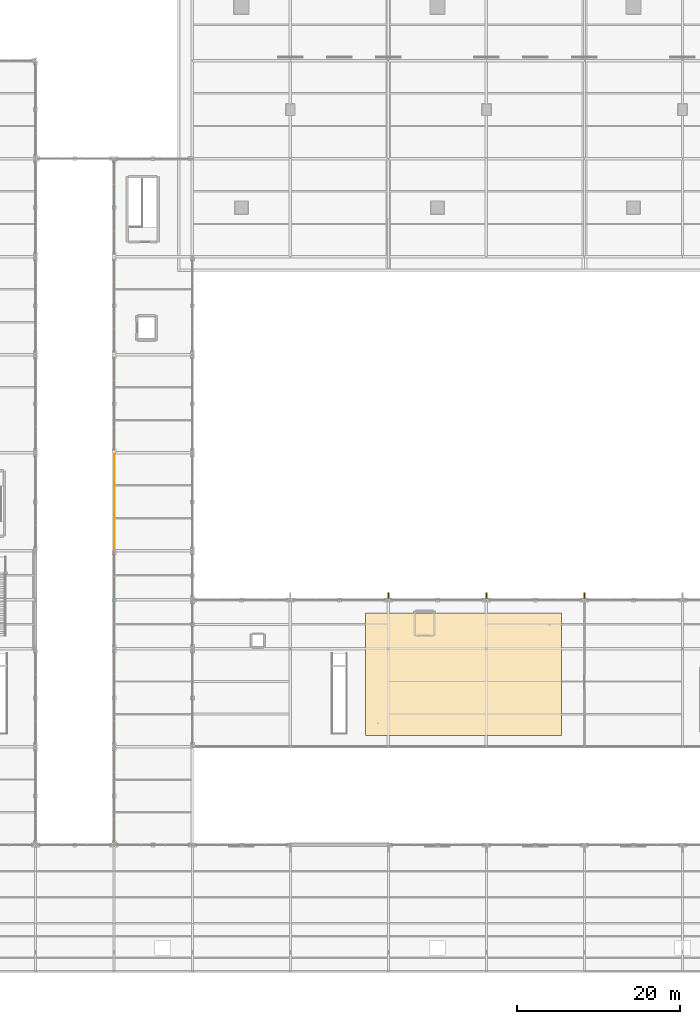
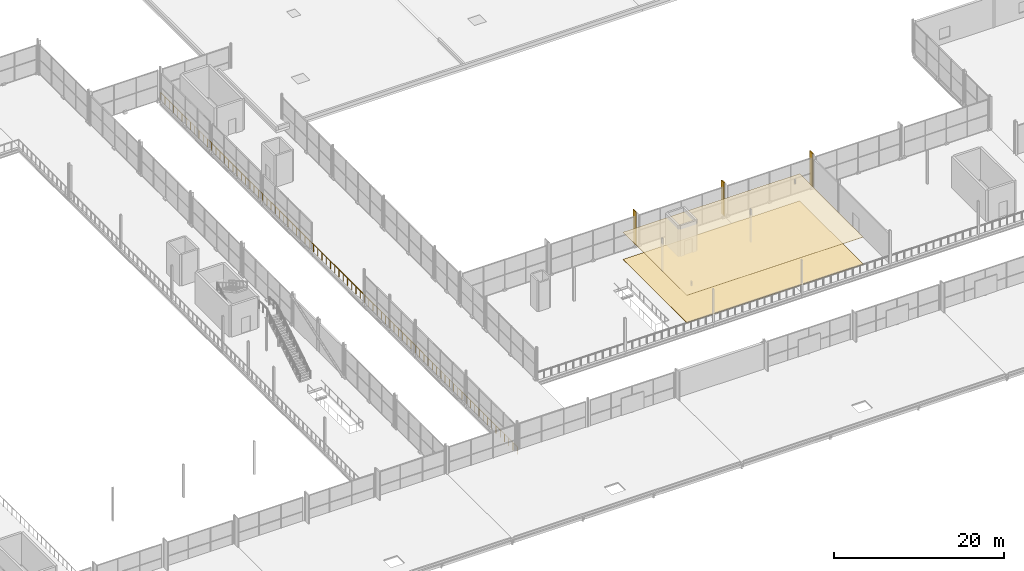
# One storey, part 155 of 159: 5 coverings, 1 railing.
"""IFC4 building model written with IfcOpenShell, lengths in metres."""

from ifc_helpers import new_model, si_unit, direction, frame, origin, origin_2d, place, context, subcontext, project, spatial, polyline, circle, outline, extrude, material, layer, layer_set, type_object, element, save


model = new_model("IFC4")

# Units and contexts
model_context = context("Model", 3, precision=1e-05, world=origin(), true_north=direction((0.0, 1.0)))
body_context = subcontext(model_context, "Body", "Model", "MODEL_VIEW")
ifc_project = project(units=[si_unit("LENGTHUNIT", "METRE"), si_unit("AREAUNIT", "SQUARE_METRE"), si_unit("VOLUMEUNIT", "CUBIC_METRE"), si_unit("PLANEANGLEUNIT", "RADIAN"), si_unit("MASSUNIT", "GRAM", prefix="KILO")], contexts=[model_context])

# Site, building, storey
site_placement = place(None, origin())
site = spatial("IfcSite", under=ifc_project, at=site_placement, CompositionType="ELEMENT")
building_placement = place(site_placement, origin())
building = spatial("IfcBuilding", under=site, at=building_placement, Name="Merenkruunu Market Hall", CompositionType="ELEMENT")
storey_placement = place(building_placement, frame((0.0, 0.0, 5.39990234375)))
storey = spatial("IfcBuildingStorey", under=building, at=storey_placement, Name="L01", CompositionType="ELEMENT", Elevation=5.39990234375)

# Coverings
ifc_material_1 = material(Name="Precast concrete C40/50", Category="concrete")
ifc_layer_1 = layer(ifc_material_1, 0.139892578125)
ifc_layer_set_1 = layer_set([ifc_layer_1], Name="Precast concrete C40/50")
covering_type_1 = type_object("IfcCoveringType", Name="Architectural Precast Sun Fin CLD02", PredefinedType="CLADDING", material=ifc_layer_set_1)
covering_1_placement = place(storey_placement, origin())
element("IfcCovering", 1, at=covering_1_placement, inside=storey, type_object=covering_type_1, Name="FIN-N-L01-058", PredefinedType="CLADDING", context=body_context, shape_type="SweptSolid", body=[
    extrude(outline(polyline([(100.72998046875, 45.718017578125), (100.8701171875, 45.718017578125), (100.8701171875, 46.43994140625), (100.72998046875, 46.43994140625), (100.72998046875, 45.718017578125)])), origin(), (0.0, 0.0, 1.0), 4.800048828125),
])
covering_2_placement = place(storey_placement, origin())
element("IfcCovering", 2, at=covering_2_placement, inside=storey, type_object=covering_type_1, Name="FIN-N-L01-061", PredefinedType="CLADDING", context=body_context, shape_type="SweptSolid", body=[
    extrude(outline(polyline([(112.72998046875, 45.718017578125), (112.8701171875, 45.718017578125), (112.8701171875, 46.43994140625), (112.72998046875, 46.43994140625), (112.72998046875, 45.718017578125)])), origin(), (0.0, 0.0, 1.0), 4.800048828125),
])
covering_3_placement = place(storey_placement, origin())
element("IfcCovering", 3, at=covering_3_placement, inside=storey, type_object=covering_type_1, Name="FIN-N-L01-064", PredefinedType="CLADDING", context=body_context, shape_type="SweptSolid", body=[
    extrude(outline(polyline([(124.72998046875, 45.718017578125), (124.8701171875, 45.718017578125), (124.8701171875, 46.43994140625), (124.72998046875, 46.43994140625), (124.72998046875, 45.718017578125)])), origin(), (0.0, 0.0, 1.0), 4.800048828125),
])

# Railing
ifc_material_2 = material(Name="Brushed stainless steel", Category="steel")
railing_type = type_object("IfcRailingType", Name="Gallery Balustrade Guard GR01", PredefinedType="BALUSTRADE", material=ifc_material_2)
railing_placement = place(storey_placement, frame((67.25, 15.64990234375, 0.0)))
element("IfcRailing", 4, at=railing_placement, inside=storey, type_object=railing_type, Name="RAIL-L01-0132", PredefinedType="BALUSTRADE", context=body_context, shape_type="SweptSolid", body=[
    extrude(circle(Radius=0.02392578125, at=origin_2d()), frame((0.0, 0.0, 1.076171875), z_axis=(0.0, 1.0, 0.0), x_axis=(-1.0, 0.0, 0.0)), (0.0, 0.0, 1.0), 83.900146484375),
    extrude(circle(Radius=0.02099609375, at=origin_2d()), origin(), (0.0, 0.0, 1.0), 1.052001953125),
    extrude(circle(Radius=0.02099609375, at=origin_2d()), frame((0.0, 0.998779296875, 0.0)), (0.0, 0.0, 1.0), 1.052001953125),
    extrude(circle(Radius=0.02099609375, at=origin_2d()), frame((0.0, 1.99755859375, 0.0)), (0.0, 0.0, 1.0), 1.052001953125),
    extrude(circle(Radius=0.02099609375, at=origin_2d()), frame((0.0, 2.996337890625, 0.0)), (0.0, 0.0, 1.0), 1.052001953125),
    extrude(circle(Radius=0.02099609375, at=origin_2d()), frame((0.0, 3.995361328125, 0.0)), (0.0, 0.0, 1.0), 1.052001953125),
    extrude(circle(Radius=0.02099609375, at=origin_2d()), frame((0.0, 4.994140625, 0.0)), (0.0, 0.0, 1.0), 1.052001953125),
    extrude(circle(Radius=0.02099609375, at=origin_2d()), frame((0.0, 5.992919921875, 0.0)), (0.0, 0.0, 1.0), 1.052001953125),
    extrude(circle(Radius=0.02099609375, at=origin_2d()), frame((0.0, 6.99169921875, 0.0)), (0.0, 0.0, 1.0), 1.052001953125),
    extrude(circle(Radius=0.02099609375, at=origin_2d()), frame((0.0, 7.990478515625, 0.0)), (0.0, 0.0, 1.0), 1.052001953125),
    extrude(circle(Radius=0.02099609375, at=origin_2d()), frame((0.0, 8.9892578125, 0.0)), (0.0, 0.0, 1.0), 1.052001953125),
    extrude(circle(Radius=0.02099609375, at=origin_2d()), frame((0.0, 9.988037109375, 0.0)), (0.0, 0.0, 1.0), 1.052001953125),
    extrude(circle(Radius=0.02099609375, at=origin_2d()), frame((0.0, 10.98681640625, 0.0)), (0.0, 0.0, 1.0), 1.052001953125),
    extrude(circle(Radius=0.02099609375, at=origin_2d()), frame((0.0, 11.98583984375, 0.0)), (0.0, 0.0, 1.0), 1.052001953125),
    extrude(circle(Radius=0.02099609375, at=origin_2d()), frame((0.0, 12.984619140625, 0.0)), (0.0, 0.0, 1.0), 1.052001953125),
    extrude(circle(Radius=0.02099609375, at=origin_2d()), frame((0.0, 13.9833984375, 0.0)), (0.0, 0.0, 1.0), 1.052001953125),
    extrude(circle(Radius=0.02099609375, at=origin_2d()), frame((0.0, 14.982177734375, 0.0)), (0.0, 0.0, 1.0), 1.052001953125),
    extrude(circle(Radius=0.02099609375, at=origin_2d()), frame((0.0, 15.98095703125, 0.0)), (0.0, 0.0, 1.0), 1.052001953125),
    extrude(circle(Radius=0.02099609375, at=origin_2d()), frame((0.0, 16.979736328125, 0.0)), (0.0, 0.0, 1.0), 1.052001953125),
    extrude(circle(Radius=0.02099609375, at=origin_2d()), frame((0.0, 17.978515625, 0.0)), (0.0, 0.0, 1.0), 1.052001953125),
    extrude(circle(Radius=0.02099609375, at=origin_2d()), frame((0.0, 18.977294921875, 0.0)), (0.0, 0.0, 1.0), 1.052001953125),
    extrude(circle(Radius=0.02099609375, at=origin_2d()), frame((0.0, 19.976318359375, 0.0)), (0.0, 0.0, 1.0), 1.052001953125),
    extrude(circle(Radius=0.02099609375, at=origin_2d()), frame((0.0, 20.97509765625, 0.0)), (0.0, 0.0, 1.0), 1.052001953125),
    extrude(circle(Radius=0.02099609375, at=origin_2d()), frame((0.0, 21.973876953125, 0.0)), (0.0, 0.0, 1.0), 1.052001953125),
    extrude(circle(Radius=0.02099609375, at=origin_2d()), frame((0.0, 22.97265625, 0.0)), (0.0, 0.0, 1.0), 1.052001953125),
    extrude(circle(Radius=0.02099609375, at=origin_2d()), frame((0.0, 23.971435546875, 0.0)), (0.0, 0.0, 1.0), 1.052001953125),
    extrude(circle(Radius=0.02099609375, at=origin_2d()), frame((0.0, 24.97021484375, 0.0)), (0.0, 0.0, 1.0), 1.052001953125),
    extrude(circle(Radius=0.02099609375, at=origin_2d()), frame((0.0, 25.968994140625, 0.0)), (0.0, 0.0, 1.0), 1.052001953125),
    extrude(circle(Radius=0.02099609375, at=origin_2d()), frame((0.0, 26.968017578125, 0.0)), (0.0, 0.0, 1.0), 1.052001953125),
    extrude(circle(Radius=0.02099609375, at=origin_2d()), frame((0.0, 27.966796875, 0.0)), (0.0, 0.0, 1.0), 1.052001953125),
    extrude(circle(Radius=0.02099609375, at=origin_2d()), frame((0.0, 28.965576171875, 0.0)), (0.0, 0.0, 1.0), 1.052001953125),
    extrude(circle(Radius=0.02099609375, at=origin_2d()), frame((0.0, 29.96435546875, 0.0)), (0.0, 0.0, 1.0), 1.052001953125),
    extrude(circle(Radius=0.02099609375, at=origin_2d()), frame((0.0, 30.963134765625, 0.0)), (0.0, 0.0, 1.0), 1.052001953125),
    extrude(circle(Radius=0.02099609375, at=origin_2d()), frame((0.0, 31.9619140625, 0.0)), (0.0, 0.0, 1.0), 1.052001953125),
    extrude(circle(Radius=0.02099609375, at=origin_2d()), frame((0.0, 32.960693359375, 0.0)), (0.0, 0.0, 1.0), 1.052001953125),
    extrude(circle(Radius=0.02099609375, at=origin_2d()), frame((0.0, 33.95947265625, 0.0)), (0.0, 0.0, 1.0), 1.052001953125),
    extrude(circle(Radius=0.02099609375, at=origin_2d()), frame((0.0, 34.95849609375, 0.0)), (0.0, 0.0, 1.0), 1.052001953125),
    extrude(circle(Radius=0.02099609375, at=origin_2d()), frame((0.0, 35.957275390625, 0.0)), (0.0, 0.0, 1.0), 1.052001953125),
    extrude(circle(Radius=0.02099609375, at=origin_2d()), frame((0.0, 36.9560546875, 0.0)), (0.0, 0.0, 1.0), 1.052001953125),
    extrude(circle(Radius=0.02099609375, at=origin_2d()), frame((0.0, 37.954833984375, 0.0)), (0.0, 0.0, 1.0), 1.052001953125),
    extrude(circle(Radius=0.02099609375, at=origin_2d()), frame((0.0, 38.95361328125, 0.0)), (0.0, 0.0, 1.0), 1.052001953125),
    extrude(circle(Radius=0.02099609375, at=origin_2d()), frame((0.0, 39.952392578125, 0.0)), (0.0, 0.0, 1.0), 1.052001953125),
    extrude(circle(Radius=0.02099609375, at=origin_2d()), frame((0.0, 40.951171875, 0.0)), (0.0, 0.0, 1.0), 1.052001953125),
    extrude(circle(Radius=0.02099609375, at=origin_2d()), frame((0.0, 41.9501953125, 0.0)), (0.0, 0.0, 1.0), 1.052001953125),
    extrude(circle(Radius=0.02099609375, at=origin_2d()), frame((0.0, 42.948974609375, 0.0)), (0.0, 0.0, 1.0), 1.052001953125),
    extrude(circle(Radius=0.02099609375, at=origin_2d()), frame((0.0, 43.94775390625, 0.0)), (0.0, 0.0, 1.0), 1.052001953125),
    extrude(circle(Radius=0.02099609375, at=origin_2d()), frame((0.0, 44.946533203125, 0.0)), (0.0, 0.0, 1.0), 1.052001953125),
    extrude(circle(Radius=0.02099609375, at=origin_2d()), frame((0.0, 45.9453125, 0.0)), (0.0, 0.0, 1.0), 1.052001953125),
    extrude(circle(Radius=0.02099609375, at=origin_2d()), frame((0.0, 46.944091796875, 0.0)), (0.0, 0.0, 1.0), 1.052001953125),
    extrude(circle(Radius=0.02099609375, at=origin_2d()), frame((0.0, 47.94287109375, 0.0)), (0.0, 0.0, 1.0), 1.052001953125),
    extrude(circle(Radius=0.02099609375, at=origin_2d()), frame((0.0, 48.941650390625, 0.0)), (0.0, 0.0, 1.0), 1.052001953125),
    extrude(circle(Radius=0.02099609375, at=origin_2d()), frame((0.0, 49.940673828125, 0.0)), (0.0, 0.0, 1.0), 1.052001953125),
    extrude(circle(Radius=0.02099609375, at=origin_2d()), frame((0.0, 50.939453125, 0.0)), (0.0, 0.0, 1.0), 1.052001953125),
    extrude(circle(Radius=0.02099609375, at=origin_2d()), frame((0.0, 51.938232421875, 0.0)), (0.0, 0.0, 1.0), 1.052001953125),
    extrude(circle(Radius=0.02099609375, at=origin_2d()), frame((0.0, 52.93701171875, 0.0)), (0.0, 0.0, 1.0), 1.052001953125),
    extrude(circle(Radius=0.02099609375, at=origin_2d()), frame((0.0, 53.935791015625, 0.0)), (0.0, 0.0, 1.0), 1.052001953125),
    extrude(circle(Radius=0.02099609375, at=origin_2d()), frame((0.0, 54.9345703125, 0.0)), (0.0, 0.0, 1.0), 1.052001953125),
    extrude(circle(Radius=0.02099609375, at=origin_2d()), frame((0.0, 55.933349609375, 0.0)), (0.0, 0.0, 1.0), 1.052001953125),
    extrude(circle(Radius=0.02099609375, at=origin_2d()), frame((0.0, 56.93212890625, 0.0)), (0.0, 0.0, 1.0), 1.052001953125),
    extrude(circle(Radius=0.02099609375, at=origin_2d()), frame((0.0, 57.93115234375, 0.0)), (0.0, 0.0, 1.0), 1.052001953125),
    extrude(circle(Radius=0.02099609375, at=origin_2d()), frame((0.0, 58.929931640625, 0.0)), (0.0, 0.0, 1.0), 1.052001953125),
    extrude(circle(Radius=0.02099609375, at=origin_2d()), frame((0.0, 59.9287109375, 0.0)), (0.0, 0.0, 1.0), 1.052001953125),
    extrude(circle(Radius=0.02099609375, at=origin_2d()), frame((0.0, 60.927490234375, 0.0)), (0.0, 0.0, 1.0), 1.052001953125),
    extrude(circle(Radius=0.02099609375, at=origin_2d()), frame((0.0, 61.92626953125, 0.0)), (0.0, 0.0, 1.0), 1.052001953125),
    extrude(circle(Radius=0.02099609375, at=origin_2d()), frame((0.0, 62.925048828125, 0.0)), (0.0, 0.0, 1.0), 1.052001953125),
    extrude(circle(Radius=0.02099609375, at=origin_2d()), frame((0.0, 63.923828125, 0.0)), (0.0, 0.0, 1.0), 1.052001953125),
    extrude(circle(Radius=0.02099609375, at=origin_2d()), frame((0.0, 64.9228515625, 0.0)), (0.0, 0.0, 1.0), 1.052001953125),
    extrude(circle(Radius=0.02099609375, at=origin_2d()), frame((0.0, 65.921630859375, 0.0)), (0.0, 0.0, 1.0), 1.052001953125),
    extrude(circle(Radius=0.02099609375, at=origin_2d()), frame((0.0, 66.92041015625, 0.0)), (0.0, 0.0, 1.0), 1.052001953125),
    extrude(circle(Radius=0.02099609375, at=origin_2d()), frame((0.0, 67.919189453125, 0.0)), (0.0, 0.0, 1.0), 1.052001953125),
    extrude(circle(Radius=0.02099609375, at=origin_2d()), frame((0.0, 68.91796875, 0.0)), (0.0, 0.0, 1.0), 1.052001953125),
    extrude(circle(Radius=0.02099609375, at=origin_2d()), frame((0.0, 69.916748046875, 0.0)), (0.0, 0.0, 1.0), 1.052001953125),
    extrude(circle(Radius=0.02099609375, at=origin_2d()), frame((0.0, 70.91552734375, 0.0)), (0.0, 0.0, 1.0), 1.052001953125),
    extrude(circle(Radius=0.02099609375, at=origin_2d()), frame((0.0, 71.914306640625, 0.0)), (0.0, 0.0, 1.0), 1.052001953125),
    extrude(circle(Radius=0.02099609375, at=origin_2d()), frame((0.0, 72.913330078125, 0.0)), (0.0, 0.0, 1.0), 1.052001953125),
    extrude(circle(Radius=0.02099609375, at=origin_2d()), frame((0.0, 73.912109375, 0.0)), (0.0, 0.0, 1.0), 1.052001953125),
    extrude(circle(Radius=0.02099609375, at=origin_2d()), frame((0.0, 74.910888671875, 0.0)), (0.0, 0.0, 1.0), 1.052001953125),
    extrude(circle(Radius=0.02099609375, at=origin_2d()), frame((0.0, 75.90966796875, 0.0)), (0.0, 0.0, 1.0), 1.052001953125),
    extrude(circle(Radius=0.02099609375, at=origin_2d()), frame((0.0, 76.908447265625, 0.0)), (0.0, 0.0, 1.0), 1.052001953125),
    extrude(circle(Radius=0.02099609375, at=origin_2d()), frame((0.0, 77.9072265625, 0.0)), (0.0, 0.0, 1.0), 1.052001953125),
    extrude(circle(Radius=0.02099609375, at=origin_2d()), frame((0.0, 78.906005859375, 0.0)), (0.0, 0.0, 1.0), 1.052001953125),
    extrude(circle(Radius=0.02099609375, at=origin_2d()), frame((0.0, 79.90478515625, 0.0)), (0.0, 0.0, 1.0), 1.052001953125),
    extrude(circle(Radius=0.02099609375, at=origin_2d()), frame((0.0, 80.90380859375, 0.0)), (0.0, 0.0, 1.0), 1.052001953125),
    extrude(circle(Radius=0.02099609375, at=origin_2d()), frame((0.0, 81.902587890625, 0.0)), (0.0, 0.0, 1.0), 1.052001953125),
    extrude(circle(Radius=0.02099609375, at=origin_2d()), frame((0.0, 82.9013671875, 0.0)), (0.0, 0.0, 1.0), 1.052001953125),
    extrude(circle(Radius=0.02099609375, at=origin_2d()), frame((0.0, 83.900146484375, 0.0)), (0.0, 0.0, 1.0), 1.052001953125),
])

# Coverings
ifc_material_3 = material(Name="Lacquered Nordic birch", Category="wood")
ifc_layer_2 = layer(ifc_material_3, 0.044921875)
ifc_layer_set_2 = layer_set([ifc_layer_2], Name="Lacquered Nordic birch")
covering_type_2 = type_object("IfcCoveringType", Name="Nordic Birch Acoustic Ceiling CLG01", PredefinedType="CEILING", material=ifc_layer_set_2)
covering_4_placement = place(storey_placement, frame((0.0, 0.0, 3.900146484375)))
element("IfcCovering", 5, at=covering_4_placement, inside=storey, type_object=covering_type_2, Name="COV-CLG-L01-1", PredefinedType="CEILING", context=body_context, shape_type="SweptSolid", body=[
    extrude(outline(polyline([(98.0, 29.0), (98.0, 44.0), (122.0, 44.0), (122.0, 29.0), (98.0, 29.0)])), origin(), (0.0, 0.0, 1.0), 0.044921875),
])
ifc_material_4 = material(Name="Terrazzo stone flooring", Category="masonry")
ifc_layer_3 = layer(ifc_material_4, 0.030029296875)
ifc_layer_set_3 = layer_set([ifc_layer_3], Name="Terrazzo stone flooring")
covering_type_3 = type_object("IfcCoveringType", Name="Terrazzo Market Flooring FLR01", PredefinedType="FLOORING", material=ifc_layer_set_3)
covering_5_placement = place(storey_placement, origin())
element("IfcCovering", 6, at=covering_5_placement, inside=storey, type_object=covering_type_3, Name="COV-FLR-L01-1", PredefinedType="FLOORING", context=body_context, shape_type="SweptSolid", body=[
    extrude(outline(polyline([(98.0, 29.0), (98.0, 44.0), (122.0, 44.0), (122.0, 29.0), (98.0, 29.0)])), origin(), (0.0, 0.0, 1.0), 0.030029296875),
])

save(model, "model.ifc")
